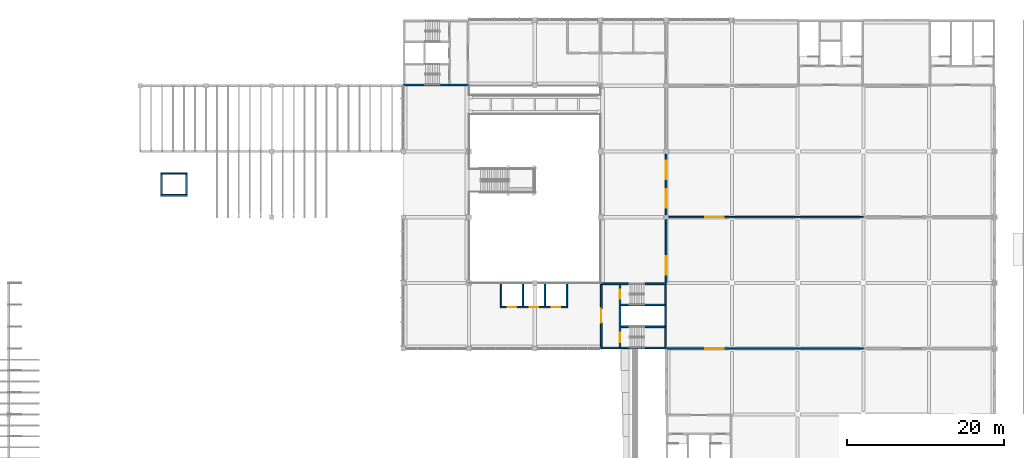
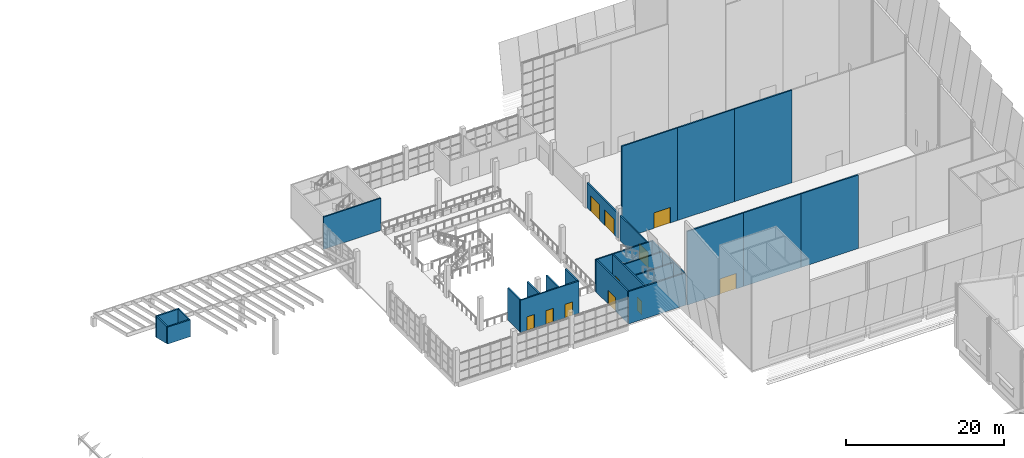
# One storey, part 23 of 59: 25 walls, 11 doors, 11 openings.
"""IFC4 building model written with IfcOpenShell, lengths in metres."""

import ifcopenshell
import ifcopenshell.guid

model = None  # the IFC model being written
_history = None  # IfcOwnerHistory: only IFC2X3 demands one
_inside = {}  # id of a spatial element -> (the spatial element, [elements in it])
_under = {}  # id of a project, library or spatial element -> (it, [spatial elements below it])
_declared = {}  # id of a project -> (the project, [libraries it declares])
_typed = {}  # id of a type object -> (the type object, [elements of that type])
_made_of = {}  # id of a material, layer set ... -> (it, [elements and type objects made of it])


def new_model(schema):
    """Start an empty IFC model of exactly this schema.

    Asked for "IFC4X3", IfcOpenShell would pick the latest addendum, in which some entities
    have other attributes; the version numbers below select the first issue.
    IFC2X3 requires an IfcOwnerHistory on every rooted entity: one is made here for all.
    """
    global model, _history
    if schema == "IFC4X3":
        model = ifcopenshell.file(schema_version=(4, 3, 0, 0))
    else:
        model = ifcopenshell.file(schema=schema)
    _inside.clear()
    _under.clear()
    _declared.clear()
    _typed.clear()
    _made_of.clear()
    _history = None
    if model.schema == "IFC2X3":
        org = make("IfcOrganization", Name="unknown")
        user = make(
            "IfcPersonAndOrganization",
            ThePerson=make("IfcPerson", FamilyName="unknown"),
            TheOrganization=org,
        )
        app = make(
            "IfcApplication",
            ApplicationDeveloper=org,
            Version="unknown",
            ApplicationFullName="unknown",
            ApplicationIdentifier="unknown",
        )
        _history = make(
            "IfcOwnerHistory",
            OwningUser=user,
            OwningApplication=app,
            ChangeAction="ADDED",
            CreationDate=0,
        )
    return model


def make(cls, **values):
    """One entity of the class cls with the attributes given. An attribute that is None is left unset."""
    return model.create_entity(
        cls, **{name: value for name, value in values.items() if value is not None}
    )


def rooted(cls, **values):
    """An entity with a GlobalId (a new one), such as an element, a storey or a relation."""
    return make(cls, GlobalId=ifcopenshell.guid.new(), OwnerHistory=_history, **values)


def si_unit(unit_type, name, prefix=None):
    """IfcSIUnit, for example si_unit("LENGTHUNIT", "METRE", prefix="MILLI")."""
    return make("IfcSIUnit", UnitType=unit_type, Prefix=prefix, Name=name)


def assignment(units):
    """IfcUnitAssignment: the units of a project."""
    return None if units is None else make("IfcUnitAssignment", Units=units)


def point(xyz):
    """IfcCartesianPoint."""
    return None if xyz is None else make("IfcCartesianPoint", Coordinates=xyz)


def direction(xyz):
    """IfcDirection."""
    return None if xyz is None else make("IfcDirection", DirectionRatios=xyz)


def frame(location, z_axis=None, x_axis=None):
    """IfcAxis2Placement3D, a coordinate frame: its origin and axes. An axis left out is left unset."""
    return make(
        "IfcAxis2Placement3D",
        Location=point(location),
        Axis=direction(z_axis),
        RefDirection=direction(x_axis),
    )


def frame_2d(location, x_axis=None):
    """IfcAxis2Placement2D, a coordinate frame in the plane: its origin and x axis."""
    return make(
        "IfcAxis2Placement2D", Location=point(location), RefDirection=direction(x_axis)
    )


def origin():
    """The frame at (0, 0, 0) with its axes left unset."""
    return frame((0.0, 0.0, 0.0))


def place(relative_to, where):
    """IfcLocalPlacement: puts the frame where relative to a parent placement (None: the world)."""
    return make(
        "IfcLocalPlacement", PlacementRelTo=relative_to, RelativePlacement=where
    )


def context(
    kind, dimensions, precision=None, world=None, true_north=None, identifier=None
):
    """IfcGeometricRepresentationContext, for example the 3D "Model" context."""
    return make(
        "IfcGeometricRepresentationContext",
        ContextIdentifier=identifier,
        ContextType=kind,
        CoordinateSpaceDimension=dimensions,
        Precision=precision,
        WorldCoordinateSystem=world,
        TrueNorth=true_north,
    )


def subcontext(parent, identifier, kind, view, scale=None):
    """IfcGeometricRepresentationSubContext, for example "Body" below "Model"."""
    return make(
        "IfcGeometricRepresentationSubContext",
        ContextIdentifier=identifier,
        ContextType=kind,
        ParentContext=parent,
        TargetScale=scale,
        TargetView=view,
    )


def project(units=None, contexts=None):
    """IfcProject with its units and contexts."""
    return rooted(
        "IfcProject",
        Name="project",
        RepresentationContexts=contexts,
        UnitsInContext=assignment(units),
    )


def spatial(cls, under=None, at=None, **own):
    """A site, building, storey or space (cls), placed at a placement, below another one or the project."""
    s = rooted(cls, ObjectPlacement=at, **own)
    if under is not None:
        _under.setdefault(under.id(), (under, []))[1].append(s)
    return s


def polyline(points):
    """IfcPolyline through the points."""
    return make("IfcPolyline", Points=[point(p) for p in points])


def profile(cls, at=None, kind="AREA", **sizes):
    """A parametric profile (cls). Its sizes go by their IFC names, for example OverallWidth=200.0."""
    return make(cls, ProfileType=kind, Position=at, **sizes)


def rectangle(**sizes):
    """IfcRectangleProfileDef."""
    return profile("IfcRectangleProfileDef", **sizes)


def outline(outer, holes=None, kind="AREA"):
    """IfcArbitraryClosedProfileDef: a profile drawn as a closed curve; with holes, ...WithVoids."""
    if holes is None:
        return make("IfcArbitraryClosedProfileDef", ProfileType=kind, OuterCurve=outer)
    return make(
        "IfcArbitraryProfileDefWithVoids",
        ProfileType=kind,
        OuterCurve=outer,
        InnerCurves=holes,
    )


def extrude(swept, where, along, depth):
    """IfcExtrudedAreaSolid: the profile swept, set in the frame where, extruded along a direction by depth."""
    return make(
        "IfcExtrudedAreaSolid",
        SweptArea=swept,
        Position=where,
        ExtrudedDirection=direction(along),
        Depth=depth,
    )


def shape(context_of_items, identifier, shape_type, items):
    """IfcShapeRepresentation: the items that make up one representation, for example the "Body"."""
    return make(
        "IfcShapeRepresentation",
        ContextOfItems=context_of_items,
        RepresentationIdentifier=identifier,
        RepresentationType=shape_type,
        Items=items,
    )


def material(Name=None, Category=None):
    """IfcMaterial."""
    return make("IfcMaterial", Name=Name, Category=Category)


def layer(
    of_material, thickness, ventilated=None, Name=None, Category=None, Priority=None
):
    """IfcMaterialLayer: one layer of a wall or slab, of a material (None: an air gap)."""
    return make(
        "IfcMaterialLayer",
        Material=of_material,
        LayerThickness=thickness,
        IsVentilated=ventilated,
        Name=Name,
        Category=Category,
        Priority=Priority,
    )


def layer_set(layers, Name=None):
    """IfcMaterialLayerSet."""
    return make("IfcMaterialLayerSet", MaterialLayers=layers, LayerSetName=Name)


def made_of(thing, what):
    """Note that an element or type object is made of a material, layer set ...; save() writes the relation."""
    if what is not None:
        _made_of.setdefault(what.id(), (what, []))[1].append(thing)
    return thing


def type_object(cls, material=None, **own):
    """A type object (cls), such as IfcWallType, which elements share."""
    return made_of(rooted(cls, **own), material)


def element(
    cls,
    number,
    at=None,
    inside=None,
    cuts=None,
    type_object=None,
    material=None,
    context=None,
    identifier="Body",
    shape_type=None,
    held_by="IfcProductDefinitionShape",
    body=None,
    shapes=None,
    **own,
):
    """One element of the class cls, such as IfcWall. Its Tag is "e" and its number.

    at: its placement. inside: the storey or other place that contains it. cuts: it is an
    opening in that element (IfcRelVoidsElement). A single representation is given by context,
    identifier, shape_type and body (its items); several are given by shapes. held_by: the class
    of the entity that holds the representations. save() writes the other relations.
    """
    e = rooted(cls, Tag="e%d" % number, ObjectPlacement=at, **own)
    if body is not None:
        shapes = [shape(context, identifier, shape_type, body)]
    if shapes is not None:
        e.Representation = make(held_by, Representations=shapes)
    if inside is not None:
        _inside.setdefault(inside.id(), (inside, []))[1].append(e)
    if cuts is not None:
        rooted(
            "IfcRelVoidsElement", RelatingBuildingElement=cuts, RelatedOpeningElement=e
        )
    if type_object is not None:
        _typed.setdefault(type_object.id(), (type_object, []))[1].append(e)
    return made_of(e, material)


def fill(opening, filler):
    """IfcRelFillsElement: the door or window that sits in an opening."""
    return rooted(
        "IfcRelFillsElement",
        RelatingOpeningElement=opening,
        RelatedBuildingElement=filler,
    )


def aggregate(whole, parts):
    """IfcRelAggregates: a whole, such as a stair, and the parts it consists of."""
    return rooted("IfcRelAggregates", RelatingObject=whole, RelatedObjects=parts)


def save(model, path):
    """Write the relations noted so far, then the file.

    IfcRelAggregates (storeys below a building ...), IfcRelContainedInSpatialStructure (elements
    in a storey), IfcRelDefinesByType, IfcRelAssociatesMaterial and IfcRelDeclares: one each for
    every whole, place, type object, material and project.
    """
    for whole, parts in _under.values():
        aggregate(whole, parts)
    for where, things in _inside.values():
        rooted(
            "IfcRelContainedInSpatialStructure",
            RelatedElements=things,
            RelatingStructure=where,
        )
    for kind, things in _typed.values():
        rooted("IfcRelDefinesByType", RelatedObjects=things, RelatingType=kind)
    for what, things in _made_of.values():
        rooted("IfcRelAssociatesMaterial", RelatedObjects=things, RelatingMaterial=what)
    for by, libraries in _declared.values():
        rooted("IfcRelDeclares", RelatingContext=by, RelatedDefinitions=libraries)
    model.write(path)


model = new_model("IFC4")

# Units and contexts
model_context = context("Model", 3, precision=1e-05, world=origin(), true_north=direction((0.0, 1.0)))
body_context = subcontext(model_context, "Body", "Model", "MODEL_VIEW")
ifc_project = project(units=[si_unit("LENGTHUNIT", "METRE"), si_unit("AREAUNIT", "SQUARE_METRE"), si_unit("VOLUMEUNIT", "CUBIC_METRE"), si_unit("PLANEANGLEUNIT", "RADIAN"), si_unit("MASSUNIT", "GRAM", prefix="KILO")], contexts=[model_context])

# Site, building, storey
site_placement = place(None, origin())
site = spatial("IfcSite", under=ifc_project, at=site_placement, CompositionType="ELEMENT")
building_placement = place(site_placement, origin())
building = spatial("IfcBuilding", under=site, at=building_placement, Name="Almond Square Museum", CompositionType="ELEMENT")
storey_placement = place(building_placement, frame((0.0, 0.0, 25.0)))
storey = spatial("IfcBuildingStorey", under=building, at=storey_placement, Name="L04", CompositionType="ELEMENT", Elevation=25.0)

# Wall, openings, doors
ifc_material_1 = material(Name="Concrete blockwork 200", Category="masonry")
ifc_layer_1 = layer(ifc_material_1, 0.199951171875)
ifc_layer_set_1 = layer_set([ifc_layer_1], Name="Concrete blockwork 200")
wall_type_1 = type_object("IfcWallType", Name="Fire partition 200 blockwork", PredefinedType="PARTITIONING", material=ifc_layer_set_1)
wall_1_placement = place(storey_placement, frame((106.800048828125, 84.300048828125, 0.0), z_axis=(0.0, 0.0, 1.0), x_axis=(0.0, 1.0, 0.0)))
wall_1 = element("IfcWall", 1, at=wall_1_placement, inside=storey, type_object=wall_type_1, Name="L04 partition 11", PredefinedType="PARTITIONING", context=body_context, shape_type="SweptSolid", body=[
    extrude(rectangle(XDim=7.800048828125, YDim=0.199951171875, at=frame_2d((3.89990234375, 0.0))), origin(), (0.0, 0.0, 1.0), 3.89990234375),
])
opening_1_placement = place(wall_1_placement, frame((0.875, 0.0, 0.0)))
opening_1 = element("IfcOpeningElement", 2, at=opening_1_placement, cuts=wall_1, Name="Opening D4123", PredefinedType="OPENING", context=body_context, shape_type="SweptSolid", body=[
    extrude(rectangle(XDim=2.39990234375, YDim=2.39990234375, at=frame_2d((1.199951171875, 1.199951171875))), frame((0.0, 0.10986328125, 0.0), z_axis=(0.0, -1.0, 0.0), x_axis=(1.0, 0.0, 0.0)), (0.0, 0.0, 1.0), 0.219970703125),
])
opening_2_placement = place(wall_1_placement, frame((4.52490234375, 0.0, 0.0)))
opening_2 = element("IfcOpeningElement", 3, at=opening_2_placement, cuts=wall_1, Name="Opening D4124", PredefinedType="OPENING", context=body_context, shape_type="SweptSolid", body=[
    extrude(rectangle(XDim=2.39990234375, YDim=2.39990234375, at=frame_2d((1.199951171875, 1.199951171875))), frame((0.0, 0.10986328125, 0.0), z_axis=(0.0, -1.0, 0.0), x_axis=(1.0, 0.0, 0.0)), (0.0, 0.0, 1.0), 0.219970703125),
])
ifc_material_2 = material(Name="Steel", Category="steel")
door_type_1 = type_object("IfcDoorType", Name="Fire door 2400 x 2400 FD60 double", OperationType="NOTDEFINED", PredefinedType="DOOR", material=ifc_material_2)
door_1_placement = place(opening_1_placement, origin())
door_1 = element("IfcDoor", 4, at=door_1_placement, inside=storey, type_object=door_type_1, Name="L04 door Hall Gallery 3 to Atrium Rim Lobby 2", OperationType="DOUBLE_DOOR_SINGLE_SWING", OverallHeight=2.39990234375, OverallWidth=2.39990234375, PredefinedType="DOOR", context=body_context, shape_type="SweptSolid", body=[
    extrude(rectangle(XDim=2.39990234375, YDim=2.39990234375, at=frame_2d((1.199951171875, 1.199951171875))), frame((0.0, 0.02490234375, 0.0), z_axis=(0.0, -1.0, 0.0), x_axis=(1.0, 0.0, 0.0)), (0.0, 0.0, 1.0), 0.050048828125),
])
fill(opening_1, door_1)
door_2_placement = place(opening_2_placement, origin())
door_2 = element("IfcDoor", 5, at=door_2_placement, inside=storey, type_object=door_type_1, Name="L04 door Hall Gallery 3 to Atrium Rim Lobby 2", OperationType="DOUBLE_DOOR_SINGLE_SWING", OverallHeight=2.39990234375, OverallWidth=2.39990234375, PredefinedType="DOOR", context=body_context, shape_type="SweptSolid", body=[
    extrude(rectangle(XDim=2.39990234375, YDim=2.39990234375, at=frame_2d((1.199951171875, 1.199951171875))), frame((0.0, 0.02490234375, 0.0), z_axis=(0.0, -1.0, 0.0), x_axis=(1.0, 0.0, 0.0)), (0.0, 0.0, 1.0), 0.050048828125),
])
fill(opening_2, door_2)

# Wall, opening, door
wall_2_placement = place(storey_placement, frame((106.800048828125, 75.60009765625, 0.0), z_axis=(0.0, 0.0, 1.0), x_axis=(0.0, 1.0, 0.0)))
wall_2 = element("IfcWall", 6, at=wall_2_placement, inside=storey, type_object=wall_type_1, Name="L04 partition 18", PredefinedType="PARTITIONING", context=body_context, shape_type="SweptSolid", body=[
    extrude(rectangle(XDim=8.099853515625, YDim=0.199951171875, at=frame_2d((4.0498046875, 0.0))), origin(), (0.0, 0.0, 1.0), 3.89990234375),
])
opening_3_placement = place(wall_2_placement, frame((1.02490234375, 0.0, 0.0)))
opening_3 = element("IfcOpeningElement", 7, at=opening_3_placement, cuts=wall_2, Name="Opening D4127", PredefinedType="OPENING", context=body_context, shape_type="SweptSolid", body=[
    extrude(rectangle(XDim=2.39990234375, YDim=2.39990234375, at=frame_2d((1.199951171875, 1.199951171875))), frame((0.0, 0.10986328125, 0.0), z_axis=(0.0, -1.0, 0.0), x_axis=(1.0, 0.0, 0.0)), (0.0, 0.0, 1.0), 0.219970703125),
])
door_3_placement = place(opening_3_placement, origin())
door_3 = element("IfcDoor", 8, at=door_3_placement, inside=storey, type_object=door_type_1, Name="L04 door Atrium Rim Lobby 2 to Hall Gallery 4", OperationType="DOUBLE_DOOR_SINGLE_SWING", OverallHeight=2.39990234375, OverallWidth=2.39990234375, PredefinedType="DOOR", context=body_context, shape_type="SweptSolid", body=[
    extrude(rectangle(XDim=2.39990234375, YDim=2.39990234375, at=frame_2d((1.199951171875, 1.199951171875))), frame((0.0, 0.02490234375, 0.0), z_axis=(0.0, -1.0, 0.0), x_axis=(1.0, 0.0, 0.0)), (0.0, 0.0, 1.0), 0.050048828125),
])
fill(opening_3, door_3)

ifc_material_3 = material(Name="Painted gypsum board on steel stud", Category="steel")
ifc_layer_2 = layer(ifc_material_3, 0.199951171875)
ifc_layer_set_2 = layer_set([ifc_layer_2], Name="Painted gypsum board on steel stud")
wall_type_2 = type_object("IfcWallType", Name="Gallery wall 200 painted board on stud", PredefinedType="PARTITIONING", material=ifc_layer_set_2)
wall_3_placement = place(storey_placement, frame((107.10009765625, 84.0, 0.0), z_axis=(0.0, 0.0, 1.0), x_axis=(1.0, 0.0, 0.0)))
wall_3 = element("IfcWall", 9, at=wall_3_placement, inside=storey, type_object=wall_type_2, Name="L04 partition 13", PredefinedType="PARTITIONING", context=body_context, shape_type="SweptSolid", body=[
    extrude(rectangle(XDim=8.099853515625, YDim=0.199951171875, at=frame_2d((4.0498046875, 0.0))), origin(), (0.0, 0.0, 1.0), 14.330078125),
])
opening_4_placement = place(wall_3_placement, frame((4.675048828125, 0.0, 0.0)))
opening_4 = element("IfcOpeningElement", 10, at=opening_4_placement, cuts=wall_3, Name="Opening D4126", PredefinedType="OPENING", context=body_context, shape_type="SweptSolid", body=[
    extrude(rectangle(XDim=2.39990234375, YDim=2.39990234375, at=frame_2d((1.199951171875, 1.199951171875))), frame((0.0, 0.10986328125, 0.0), z_axis=(0.0, -1.0, 0.0), x_axis=(1.0, 0.0, 0.0)), (0.0, 0.0, 1.0), 0.219970703125),
])
ifc_material_4 = material(Name="Timber", Category="wood")
door_type_2 = type_object("IfcDoorType", Name="Gallery door 2400 x 2400 timber double", OperationType="NOTDEFINED", PredefinedType="DOOR", material=ifc_material_4)
door_4_placement = place(opening_4_placement, origin())
door_4 = element("IfcDoor", 11, at=door_4_placement, inside=storey, type_object=door_type_2, Name="L04 door Hall Gallery 3 to Hall Gallery 4", OperationType="DOUBLE_DOOR_SINGLE_SWING", OverallHeight=2.39990234375, OverallWidth=2.39990234375, PredefinedType="DOOR", context=body_context, shape_type="SweptSolid", body=[
    extrude(rectangle(XDim=2.39990234375, YDim=2.39990234375, at=frame_2d((1.199951171875, 1.199951171875))), frame((0.0, 0.02490234375, 0.0), z_axis=(0.0, -1.0, 0.0), x_axis=(1.0, 0.0, 0.0)), (0.0, 0.0, 1.0), 0.050048828125),
])
fill(opening_4, door_4)

# Walls
wall_4_placement = place(storey_placement, frame((115.199951171875, 84.0, 0.0), z_axis=(0.0, 0.0, 1.0), x_axis=(1.0, 0.0, 0.0)))
element("IfcWall", 12, at=wall_4_placement, inside=storey, type_object=wall_type_2, Name="L04 partition 14", PredefinedType="PARTITIONING", context=body_context, shape_type="SweptSolid", body=[
    extrude(rectangle(XDim=8.400146484375, YDim=0.199951171875, at=frame_2d((4.2001953125, 0.0))), origin(), (0.0, 0.0, 1.0), 14.330078125),
])
wall_5_placement = place(storey_placement, frame((123.60009765625, 84.0, 0.0), z_axis=(0.0, 0.0, 1.0), x_axis=(1.0, 0.0, 0.0)))
element("IfcWall", 13, at=wall_5_placement, inside=storey, type_object=wall_type_2, Name="L04 partition 15", PredefinedType="PARTITIONING", context=body_context, shape_type="SweptSolid", body=[
    extrude(rectangle(XDim=8.39990234375, YDim=0.199951171875, at=frame_2d((4.199951171875, 0.0))), origin(), (0.0, 0.0, 1.0), 14.330078125),
])

# Wall, opening, door
wall_6_placement = place(storey_placement, frame((106.949951171875, 67.199951171875, 0.0), z_axis=(0.0, 0.0, 1.0), x_axis=(1.0, 0.0, 0.0)))
wall_6 = element("IfcWall", 14, at=wall_6_placement, inside=storey, type_object=wall_type_2, Name="L04 partition 19", PredefinedType="PARTITIONING", context=body_context, shape_type="SweptSolid", body=[
    extrude(rectangle(XDim=8.25, YDim=0.199951171875, at=frame_2d((4.125, 0.0))), origin(), (0.0, 0.0, 1.0), 11.389892578125),
])
opening_5_placement = place(wall_6_placement, frame((4.824951171875, 0.0, 0.0)))
opening_5 = element("IfcOpeningElement", 15, at=opening_5_placement, cuts=wall_6, Name="Opening D4129", PredefinedType="OPENING", context=body_context, shape_type="SweptSolid", body=[
    extrude(rectangle(XDim=2.39990234375, YDim=2.39990234375, at=frame_2d((1.199951171875, 1.199951171875))), frame((0.0, 0.10986328125, 0.0), z_axis=(0.0, -1.0, 0.0), x_axis=(1.0, 0.0, 0.0)), (0.0, 0.0, 1.0), 0.219970703125),
])
door_5_placement = place(opening_5_placement, origin())
door_5 = element("IfcDoor", 16, at=door_5_placement, inside=storey, type_object=door_type_2, Name="L04 door Hall Gallery 4 to Hall Gallery 5", OperationType="DOUBLE_DOOR_SINGLE_SWING", OverallHeight=2.39990234375, OverallWidth=2.39990234375, PredefinedType="DOOR", context=body_context, shape_type="SweptSolid", body=[
    extrude(rectangle(XDim=2.39990234375, YDim=2.39990234375, at=frame_2d((1.199951171875, 1.199951171875))), frame((0.0, 0.02490234375, 0.0), z_axis=(0.0, -1.0, 0.0), x_axis=(1.0, 0.0, 0.0)), (0.0, 0.0, 1.0), 0.050048828125),
])
fill(opening_5, door_5)

# Walls
wall_7_placement = place(storey_placement, frame((115.199951171875, 67.199951171875, 0.0), z_axis=(0.0, 0.0, 1.0), x_axis=(1.0, 0.0, 0.0)))
element("IfcWall", 17, at=wall_7_placement, inside=storey, type_object=wall_type_2, Name="L04 partition 20", PredefinedType="PARTITIONING", context=body_context, shape_type="SweptSolid", body=[
    extrude(rectangle(XDim=8.400146484375, YDim=0.199951171875, at=frame_2d((4.2001953125, 0.0))), origin(), (0.0, 0.0, 1.0), 11.389892578125),
])
wall_8_placement = place(storey_placement, frame((123.60009765625, 67.199951171875, 0.0), z_axis=(0.0, 0.0, 1.0), x_axis=(1.0, 0.0, 0.0)))
element("IfcWall", 18, at=wall_8_placement, inside=storey, type_object=wall_type_2, Name="L04 partition 21", PredefinedType="PARTITIONING", context=body_context, shape_type="SweptSolid", body=[
    extrude(rectangle(XDim=8.39990234375, YDim=0.199951171875, at=frame_2d((4.199951171875, 0.0))), origin(), (0.0, 0.0, 1.0), 11.389892578125),
])
ifc_material_5 = material(Name="Concrete C40/50", Category="concrete")
ifc_layer_3 = layer(ifc_material_5, 0.199951171875)
ifc_layer_set_3 = layer_set([ifc_layer_3], Name="Concrete C40/50")
wall_type_3 = type_object("IfcWallType", Name="RC lift machine room wall 200 C40/50", PredefinedType="SOLIDWALL", material=ifc_layer_set_3)
wall_9_placement = place(storey_placement, frame((42.199951171875, 86.800048828125, 4.732421875), z_axis=(0.0, 0.0, 1.0), x_axis=(1.0, 0.0, 0.0)))
element("IfcWall", 19, at=wall_9_placement, inside=storey, type_object=wall_type_3, Name="Lift machine room N1 south wall", PredefinedType="SOLIDWALL", context=body_context, shape_type="SweptSolid", body=[
    extrude(rectangle(XDim=3.400146484375, YDim=0.199951171875, at=frame_2d((1.7001953125, 0.0))), origin(), (0.0, 0.0, 1.0), 2.625),
])
wall_10_placement = place(storey_placement, frame((42.199951171875, 89.60009765625, 4.0673828125), z_axis=(0.0, 0.0, 1.0), x_axis=(1.0, 0.0, 0.0)))
element("IfcWall", 20, at=wall_10_placement, inside=storey, type_object=wall_type_3, Name="Lift machine room N1 north wall", PredefinedType="SOLIDWALL", context=body_context, shape_type="SweptSolid", body=[
    extrude(rectangle(XDim=3.400146484375, YDim=0.199951171875, at=frame_2d((1.7001953125, 0.0))), origin(), (0.0, 0.0, 1.0), 3.2900390625),
])
for number, where, z_axis, x_axis, name in (
    (21, (42.300048828125, 86.89990234375, 4.090087890625), (0.0, 0.0, 1.0), (0.0, 1.0, 0.0), "Lift machine room N1 west wall"),
    (22, (45.5, 86.89990234375, 4.090087890625), (0.0, 0.0, 1.0), (0.0, 1.0, 0.0), "Lift machine room N1 east wall"),
):
    element("IfcWall", number, at=place(storey_placement, frame(where, z_axis=z_axis, x_axis=x_axis)), inside=storey, type_object=wall_type_3, Name=name, PredefinedType="SOLIDWALL", context=body_context, shape_type="SweptSolid", body=[
        extrude(outline(polyline([(0.0, 0.619384765625), (2.60009765625, 0.00048828125), (2.60009765625, 3.267333984375), (0.0, 3.267333984375), (0.0, 0.619384765625)])), frame((0.0, 0.10009765625, 0.0), z_axis=(0.0, -1.0, 0.0), x_axis=(1.0, 0.0, 0.0)), (0.0, 0.0, 1.0), 0.199951171875),
    ])
ifc_material_6 = material(Name="Concrete C40/50", Category="concrete")
ifc_layer_4 = layer(ifc_material_6, 0.199951171875)
ifc_layer_set_4 = layer_set([ifc_layer_4], Name="Concrete C40/50")
wall_type_4 = type_object("IfcWallType", Name="RC shear wall 200 C40/50", PredefinedType="SHEAR", material=ifc_layer_set_4)
for number, where, z_axis, x_axis, name in (
    (23, (73.199951171875, 100.89990234375, 0.0), (0.0, 0.0, 1.0), (1.0, 0.0, 0.0), "Core A1 south wall L04"),
    (24, (98.39990234375, 67.300048828125, 0.0), (0.0, 0.0, 1.0), (1.0, 0.0, 0.0), "Core A2 south wall L04"),
    (25, (98.39990234375, 75.5, 0.0), (0.0, 0.0, 1.0), (1.0, 0.0, 0.0), "Core A2 north wall L04"),
):
    element("IfcWall", number, at=place(storey_placement, frame(where, z_axis=z_axis, x_axis=x_axis)), inside=storey, type_object=wall_type_4, Name=name, PredefinedType="SHEAR", context=body_context, shape_type="SweptSolid", body=[
        extrude(rectangle(XDim=8.400146484375, YDim=0.199951171875, at=frame_2d((4.2001953125, 0.0))), origin(), (0.0, 0.0, 1.0), 5.0),
    ])

# Wall, opening, door
wall_11_placement = place(storey_placement, frame((98.5, 67.39990234375, 0.0), z_axis=(0.0, 0.0, 1.0), x_axis=(0.0, 1.0, 0.0)))
wall_11 = element("IfcWall", 26, at=wall_11_placement, inside=storey, type_object=wall_type_4, Name="Core A2 west wall L04", PredefinedType="SHEAR", context=body_context, shape_type="SweptSolid", body=[
    extrude(rectangle(XDim=8.0, YDim=0.199951171875, at=frame_2d((4.0, 0.0))), origin(), (0.0, 0.0, 1.0), 5.0),
])
opening_6_placement = place(wall_11_placement, frame((3.10009765625, 0.0, 0.0)))
opening_6 = element("IfcOpeningElement", 27, at=opening_6_placement, cuts=wall_11, Name="Opening D4148", PredefinedType="OPENING", context=body_context, shape_type="SweptSolid", body=[
    extrude(rectangle(XDim=1.800048828125, YDim=2.10009765625, at=frame_2d((0.89990234375, 1.050048828125))), frame((0.0, 0.10986328125, 0.0), z_axis=(0.0, -1.0, 0.0), x_axis=(1.0, 0.0, 0.0)), (0.0, 0.0, 1.0), 0.219970703125),
])
ifc_material_7 = material(Name="Steel", Category="steel")
door_type_3 = type_object("IfcDoorType", Name="Fire door 1800 x 2100 FD60 double", OperationType="NOTDEFINED", PredefinedType="DOOR", material=ifc_material_7)
door_6_placement = place(opening_6_placement, origin())
door_6 = element("IfcDoor", 28, at=door_6_placement, inside=storey, type_object=door_type_3, Name="L04 stair core A2 lobby door", OperationType="DOUBLE_DOOR_SINGLE_SWING", OverallHeight=2.10009765625, OverallWidth=1.800048828125, PredefinedType="DOOR", context=body_context, shape_type="SweptSolid", body=[
    extrude(rectangle(XDim=1.800048828125, YDim=2.10009765625, at=frame_2d((0.89990234375, 1.050048828125))), frame((0.0, 0.02490234375, 0.0), z_axis=(0.0, -1.0, 0.0), x_axis=(1.0, 0.0, 0.0)), (0.0, 0.0, 1.0), 0.050048828125),
])
fill(opening_6, door_6)

# Wall
wall_12_placement = place(storey_placement, frame((106.699951171875, 67.39990234375, 0.0), z_axis=(0.0, 0.0, 1.0), x_axis=(0.0, 1.0, 0.0)))
element("IfcWall", 29, at=wall_12_placement, inside=storey, type_object=wall_type_4, Name="Core A2 east wall L04", PredefinedType="SHEAR", context=body_context, shape_type="SweptSolid", body=[
    extrude(rectangle(XDim=8.0, YDim=0.199951171875, at=frame_2d((4.0, 0.0))), origin(), (0.0, 0.0, 1.0), 5.0),
])

# Wall, openings, doors
wall_13_placement = place(storey_placement, frame((100.89990234375, 67.39990234375, 0.0), z_axis=(0.0, 0.0, 1.0), x_axis=(0.0, 1.0, 0.0)))
wall_13 = element("IfcWall", 30, at=wall_13_placement, inside=storey, type_object=wall_type_4, Name="Core A2 lobby wall L04", PredefinedType="SHEAR", context=body_context, shape_type="SweptSolid", body=[
    extrude(rectangle(XDim=8.0, YDim=0.199951171875, at=frame_2d((4.0, 0.0))), origin(), (0.0, 0.0, 1.0), 5.0),
])
opening_7_placement = place(wall_13_placement, frame((0.64990234375, 0.0, 0.0)))
opening_7 = element("IfcOpeningElement", 31, at=opening_7_placement, cuts=wall_13, Name="Opening D4149", PredefinedType="OPENING", context=body_context, shape_type="SweptSolid", body=[
    extrude(rectangle(XDim=1.199951171875, YDim=2.10009765625, at=frame_2d((0.60009765625, 1.050048828125))), frame((0.0, 0.10986328125, 0.0), z_axis=(0.0, -1.0, 0.0), x_axis=(1.0, 0.0, 0.0)), (0.0, 0.0, 1.0), 0.219970703125),
])
opening_8_placement = place(wall_13_placement, frame((6.14990234375, 0.0, 0.0)))
opening_8 = element("IfcOpeningElement", 32, at=opening_8_placement, cuts=wall_13, Name="Opening D4150", PredefinedType="OPENING", context=body_context, shape_type="SweptSolid", body=[
    extrude(rectangle(XDim=1.199951171875, YDim=2.10009765625, at=frame_2d((0.60009765625, 1.050048828125))), frame((0.0, 0.10986328125, 0.0), z_axis=(0.0, -1.0, 0.0), x_axis=(1.0, 0.0, 0.0)), (0.0, 0.0, 1.0), 0.219970703125),
])
ifc_material_8 = material(Name="Steel", Category="steel")
door_type_4 = type_object("IfcDoorType", Name="Fire door 1200 x 2100 FD120 stair", OperationType="NOTDEFINED", PredefinedType="DOOR", material=ifc_material_8)
door_7_placement = place(opening_7_placement, origin())
door_7 = element("IfcDoor", 33, at=door_7_placement, inside=storey, type_object=door_type_4, Name="L04 stair A2-1 door", OperationType="SINGLE_SWING_LEFT", OverallHeight=2.10009765625, OverallWidth=1.199951171875, PredefinedType="DOOR", context=body_context, shape_type="SweptSolid", body=[
    extrude(rectangle(XDim=1.199951171875, YDim=2.10009765625, at=frame_2d((0.60009765625, 1.050048828125))), frame((0.0, 0.02490234375, 0.0), z_axis=(0.0, -1.0, 0.0), x_axis=(1.0, 0.0, 0.0)), (0.0, 0.0, 1.0), 0.050048828125),
])
fill(opening_7, door_7)
door_8_placement = place(opening_8_placement, origin())
door_8 = element("IfcDoor", 34, at=door_8_placement, inside=storey, type_object=door_type_4, Name="L04 stair A2-2 door", OperationType="SINGLE_SWING_RIGHT", OverallHeight=2.10009765625, OverallWidth=1.199951171875, PredefinedType="DOOR", context=body_context, shape_type="SweptSolid", body=[
    extrude(rectangle(XDim=1.199951171875, YDim=2.10009765625, at=frame_2d((0.60009765625, 1.050048828125))), frame((0.0, 0.02490234375, 0.0), z_axis=(0.0, -1.0, 0.0), x_axis=(1.0, 0.0, 0.0)), (0.0, 0.0, 1.0), 0.050048828125),
])
fill(opening_8, door_8)

# Walls
for number, where, z_axis, x_axis, name in (
    (35, (101.0, 70.0, 0.0), (0.0, 0.0, 1.0), (1.0, 0.0, 0.0), "Core A2 partition wall L04"),
    (36, (101.0, 72.800048828125, 0.0), (0.0, 0.0, 1.0), (1.0, 0.0, 0.0), "Core A2 partition wall L04"),
):
    element("IfcWall", number, at=place(storey_placement, frame(where, z_axis=z_axis, x_axis=x_axis)), inside=storey, type_object=wall_type_4, Name=name, PredefinedType="SHEAR", context=body_context, shape_type="SweptSolid", body=[
        extrude(rectangle(XDim=5.60009765625, YDim=0.199951171875, at=frame_2d((2.800048828125, 0.0))), origin(), (0.0, 0.0, 1.0), 5.0),
    ])

# Wall, openings, doors
wall_14_placement = place(storey_placement, frame((85.60009765625, 72.5, 0.0), z_axis=(0.0, 0.0, 1.0), x_axis=(1.0, 0.0, 0.0)))
wall_14 = element("IfcWall", 37, at=wall_14_placement, inside=storey, type_object=wall_type_4, Name="Atrium lift shaft south wall L04", PredefinedType="SHEAR", context=body_context, shape_type="SweptSolid", body=[
    extrude(rectangle(XDim=8.599853515625, YDim=0.199951171875, at=frame_2d((4.2998046875, 0.0))), origin(), (0.0, 0.0, 1.0), 5.0),
])
opening_9_placement = place(wall_14_placement, frame((0.949951171875, 0.0, 0.0)))
opening_9 = element("IfcOpeningElement", 38, at=opening_9_placement, cuts=wall_14, Name="Opening D4165", PredefinedType="OPENING", context=body_context, shape_type="SweptSolid", body=[
    extrude(rectangle(XDim=1.10009765625, YDim=2.10009765625, at=frame_2d((0.550048828125, 1.050048828125))), frame((0.0, 0.10986328125, 0.0), z_axis=(0.0, -1.0, 0.0), x_axis=(1.0, 0.0, 0.0)), (0.0, 0.0, 1.0), 0.219970703125),
])
opening_10_placement = place(wall_14_placement, frame((3.75, 0.0, 0.0)))
opening_10 = element("IfcOpeningElement", 39, at=opening_10_placement, cuts=wall_14, Name="Opening D4166", PredefinedType="OPENING", context=body_context, shape_type="SweptSolid", body=[
    extrude(rectangle(XDim=1.10009765625, YDim=2.10009765625, at=frame_2d((0.550048828125, 1.050048828125))), frame((0.0, 0.10986328125, 0.0), z_axis=(0.0, -1.0, 0.0), x_axis=(1.0, 0.0, 0.0)), (0.0, 0.0, 1.0), 0.219970703125),
])
opening_11_placement = place(wall_14_placement, frame((6.550048828125, 0.0, 0.0)))
opening_11 = element("IfcOpeningElement", 40, at=opening_11_placement, cuts=wall_14, Name="Opening D4167", PredefinedType="OPENING", context=body_context, shape_type="SweptSolid", body=[
    extrude(rectangle(XDim=1.10009765625, YDim=2.10009765625, at=frame_2d((0.550048828125, 1.050048828125))), frame((0.0, 0.10986328125, 0.0), z_axis=(0.0, -1.0, 0.0), x_axis=(1.0, 0.0, 0.0)), (0.0, 0.0, 1.0), 0.219970703125),
])
ifc_material_9 = material(Name="Stainless steel", Category="steel")
door_type_5 = type_object("IfcDoorType", Name="Lift landing door 1100 x 2100", OperationType="NOTDEFINED", PredefinedType="DOOR", material=ifc_material_9)
door_9_placement = place(opening_9_placement, origin())
door_9 = element("IfcDoor", 41, at=door_9_placement, inside=storey, type_object=door_type_5, Name="L04 atrium lift AL1 landing door", OperationType="DOUBLE_DOOR_SLIDING", OverallHeight=2.10009765625, OverallWidth=1.10009765625, PredefinedType="DOOR", context=body_context, shape_type="SweptSolid", body=[
    extrude(rectangle(XDim=1.10009765625, YDim=2.10009765625, at=frame_2d((0.550048828125, 1.050048828125))), frame((0.0, 0.02490234375, 0.0), z_axis=(0.0, -1.0, 0.0), x_axis=(1.0, 0.0, 0.0)), (0.0, 0.0, 1.0), 0.050048828125),
])
fill(opening_9, door_9)
door_10_placement = place(opening_10_placement, origin())
door_10 = element("IfcDoor", 42, at=door_10_placement, inside=storey, type_object=door_type_5, Name="L04 atrium lift AL2 landing door", OperationType="DOUBLE_DOOR_SLIDING", OverallHeight=2.10009765625, OverallWidth=1.10009765625, PredefinedType="DOOR", context=body_context, shape_type="SweptSolid", body=[
    extrude(rectangle(XDim=1.10009765625, YDim=2.10009765625, at=frame_2d((0.550048828125, 1.050048828125))), frame((0.0, 0.02490234375, 0.0), z_axis=(0.0, -1.0, 0.0), x_axis=(1.0, 0.0, 0.0)), (0.0, 0.0, 1.0), 0.050048828125),
])
fill(opening_10, door_10)
door_11_placement = place(opening_11_placement, origin())
door_11 = element("IfcDoor", 43, at=door_11_placement, inside=storey, type_object=door_type_5, Name="L04 atrium lift AL3 landing door", OperationType="DOUBLE_DOOR_SLIDING", OverallHeight=2.10009765625, OverallWidth=1.10009765625, PredefinedType="DOOR", context=body_context, shape_type="SweptSolid", body=[
    extrude(rectangle(XDim=1.10009765625, YDim=2.10009765625, at=frame_2d((0.550048828125, 1.050048828125))), frame((0.0, 0.02490234375, 0.0), z_axis=(0.0, -1.0, 0.0), x_axis=(1.0, 0.0, 0.0)), (0.0, 0.0, 1.0), 0.050048828125),
])
fill(opening_11, door_11)

# Walls
for number, where, z_axis, x_axis, name in (
    (44, (85.699951171875, 72.60009765625, 0.0), (0.0, 0.0, 1.0), (0.0, 1.0, 0.0), "Atrium lift shaft west wall L04"),
    (45, (94.10009765625, 72.60009765625, 0.0), (0.0, 0.0, 1.0), (0.0, 1.0, 0.0), "Atrium lift shaft east wall L04"),
    (46, (88.5, 72.60009765625, 0.0), (0.0, 0.0, 1.0), (0.0, 1.0, 0.0), "Atrium lift shaft partition wall L04"),
    (47, (91.300048828125, 72.60009765625, 0.0), (0.0, 0.0, 1.0), (0.0, 1.0, 0.0), "Atrium lift shaft partition wall L04"),
):
    element("IfcWall", number, at=place(storey_placement, frame(where, z_axis=z_axis, x_axis=x_axis)), inside=storey, type_object=wall_type_4, Name=name, PredefinedType="SHEAR", context=body_context, shape_type="SweptSolid", body=[
        extrude(rectangle(XDim=3.0, YDim=0.199951171875, at=frame_2d((1.5, 0.0))), origin(), (0.0, 0.0, 1.0), 5.0),
    ])

save(model, "model.ifc")
